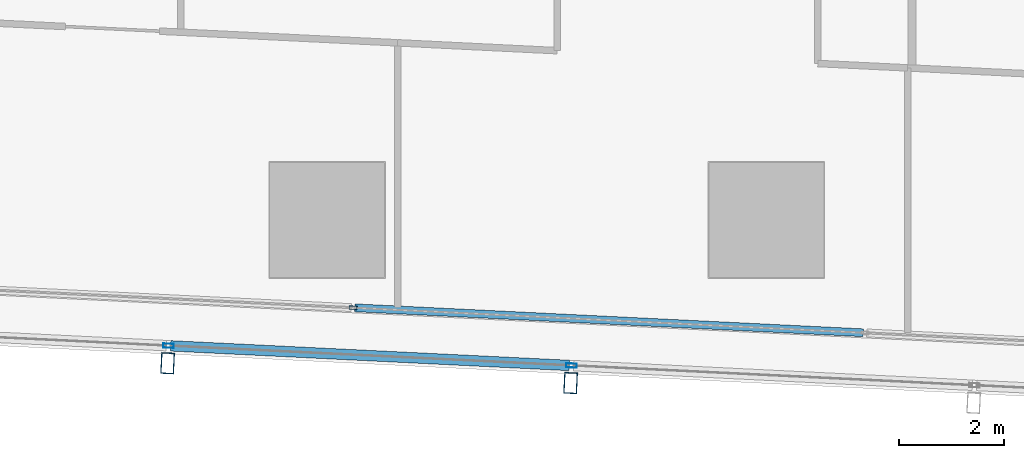
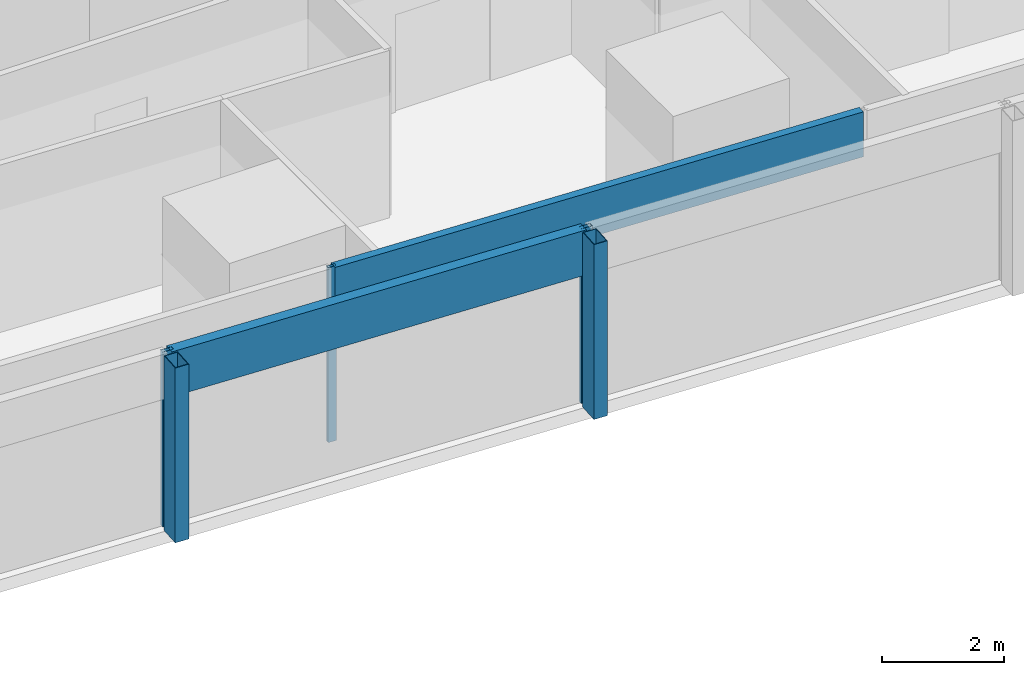
# One storey, part 5 of 44: 7 members, 2 elements without a shape of their own.
"""IFC4 building model written with IfcOpenShell, lengths in metres."""

from ifc_helpers import new_model, si_unit, direction, frame, origin, origin_2d, place, context, subcontext, project, spatial, hollow_rectangle, extrude, material, material_profile, profile_set, type_object, element, aggregate, save


model = new_model("IFC4")

# Units and contexts
model_context = context("Model", 3, precision=1e-05, world=origin(), true_north=direction((0.0, 1.0)))
body_context = subcontext(model_context, "Body", "Model", "MODEL_VIEW")
ifc_project = project(units=[si_unit("LENGTHUNIT", "METRE"), si_unit("AREAUNIT", "SQUARE_METRE"), si_unit("VOLUMEUNIT", "CUBIC_METRE"), si_unit("PLANEANGLEUNIT", "RADIAN"), si_unit("MASSUNIT", "GRAM", prefix="KILO")], contexts=[model_context])

# Site, building, storey
site_placement = place(None, origin())
site = spatial("IfcSite", under=ifc_project, at=site_placement, CompositionType="ELEMENT")
building_placement = place(site_placement, origin())
building = spatial("IfcBuilding", under=site, at=building_placement, Name="Rekha Terrace Tower", CompositionType="ELEMENT")
storey_placement = place(building_placement, frame((0.0, 0.0, 62.89990234375)))
storey = spatial("IfcBuildingStorey", under=building, at=storey_placement, Name="L15", CompositionType="ELEMENT", Elevation=62.89990234375)

# Curtain wall, members
ifc_material_1 = material(Name="Aluminium framing", Category="aluminium")
curtain_wall_type_1 = type_object("IfcCurtainWallType", Name="CW2 double skin outer glazing", PredefinedType="USERDEFINED", material=ifc_material_1)
curtain_wall_1_placement = place(storey_placement, origin())
curtain_wall_1 = element("IfcCurtainWall", 1, at=curtain_wall_1_placement, inside=storey, type_object=curtain_wall_type_1, Name="CW2 double skin outer glazing", ObjectType="DOUBLE SKIN OUTER GLAZING", PredefinedType="USERDEFINED")
ifc_material_2 = material(Name="Steel S355 with fluorocarbon finish", Category="steel")
ifc_material_profile_1 = material_profile(ifc_material_2, hollow_rectangle(XDim=0.25, YDim=0.39990234375, WallThickness=0.012451171875, at=origin_2d()), Name="RHS400x250x12.5")
ifc_profile_set_1 = profile_set([ifc_material_profile_1], Name="Steel S355 with fluorocarbon finish")
member_type_1 = type_object("IfcMemberType", Name="BL1 facade blade RHS 400 x 250", PredefinedType="USERDEFINED", material=ifc_profile_set_1)
member_1_placement = place(storey_placement, frame((22.14990234375, 5.6611328125, 0.0), z_axis=(0.0, 0.0, 1.0), x_axis=(0.998796226835, -0.049051985279, 0.0)))
member_1 = element("IfcMember", 2, at=member_1_placement, type_object=member_type_1, Name="Facade blade", ObjectType="FACADE BLADE", PredefinedType="USERDEFINED", context=body_context, shape_type="SweptSolid", body=[
    extrude(hollow_rectangle(XDim=0.25, YDim=0.39990234375, WallThickness=0.012451171875, at=origin_2d()), origin(), (0.0, 0.0, 1.0), 3.5),
])
member_2_placement = place(storey_placement, frame((29.856201171875, 5.28271484375, 0.0), z_axis=(0.0, 0.0, 1.0), x_axis=(0.998796226835, -0.049051985279, 0.0)))
member_2 = element("IfcMember", 3, at=member_2_placement, type_object=member_type_1, Name="Facade blade", ObjectType="FACADE BLADE", PredefinedType="USERDEFINED", context=body_context, shape_type="SweptSolid", body=[
    extrude(hollow_rectangle(XDim=0.25, YDim=0.39990234375, WallThickness=0.012451171875, at=origin_2d()), origin(), (0.0, 0.0, 1.0), 3.5),
])

curtain_wall_type_2 = type_object("IfcCurtainWallType", Name="CW1 double skin inner glazing", PredefinedType="USERDEFINED", material=ifc_material_1)
curtain_wall_2_placement = place(storey_placement, origin())
curtain_wall_2 = element("IfcCurtainWall", 4, at=curtain_wall_2_placement, inside=storey, type_object=curtain_wall_type_2, Name="CW1 double skin inner glazing", ObjectType="DOUBLE SKIN INNER GLAZING", PredefinedType="USERDEFINED")
ifc_material_3 = material(Name="Aluminium mullion section", Category="aluminium")
ifc_material_profile_2 = material_profile(ifc_material_3, hollow_rectangle(XDim=0.06494140625, YDim=0.14990234375, WallThickness=0.00390625, at=origin_2d()), Name="AL RHS 65x150")
ifc_profile_set_2 = profile_set([ifc_material_profile_2], Name="Aluminium mullion section")
member_type_2 = type_object("IfcMemberType", Name="CW1 mullion RHS 65 x 150", PredefinedType="MULLION", material=ifc_profile_set_2)
member_3_placement = place(storey_placement, frame((25.696044921875, 6.723388671875, 0.0), z_axis=(0.0, 0.0, 1.0), x_axis=(0.049051717746, 0.998796239974, 0.0)))
member_3 = element("IfcMember", 5, at=member_3_placement, type_object=member_type_2, Name="CW1 mullion 2", PredefinedType="MULLION", context=body_context, shape_type="SweptSolid", body=[
    extrude(hollow_rectangle(XDim=0.06494140625, YDim=0.14990234375, WallThickness=0.00390625, at=origin_2d()), origin(), (0.0, 0.0, 1.0), 3.5),
])
ifc_material_4 = material(Name="Insulated aluminium spandrel box", Category="aluminium")
ifc_material_profile_3 = material_profile(ifc_material_4, hollow_rectangle(XDim=0.14990234375, YDim=0.89990234375, WallThickness=0.0029296875, at=origin_2d()), Name="AL SPANDREL BOX 150x900")
ifc_profile_set_3 = profile_set([ifc_material_profile_3], Name="Insulated aluminium spandrel box")
member_type_3 = type_object("IfcMemberType", Name="CW1 spandrel transom 150 x 900", PredefinedType="USERDEFINED", material=ifc_profile_set_3)
member_4_placement = place(storey_placement, frame((25.728515625, 6.721923828125, 3.050048828125), z_axis=(0.998796042167, -0.049055745348, 0.0), x_axis=(0.049055745348, 0.998796042167, 0.0)))
member_4 = element("IfcMember", 6, at=member_4_placement, type_object=member_type_3, Name="CW1 spandrel transom 2", ObjectType="TRANSOM", PredefinedType="USERDEFINED", context=body_context, shape_type="SweptSolid", body=[
    extrude(hollow_rectangle(XDim=0.14990234375, YDim=0.89990234375, WallThickness=0.0029296875, at=origin_2d()), origin(), (0.0, 0.0, 1.0), 9.734619140625),
])
aggregate(curtain_wall_2, [member_3, member_4])

# Member
ifc_material_profile_4 = material_profile(ifc_material_3, hollow_rectangle(XDim=0.080078125, YDim=0.199951171875, WallThickness=0.00390625, at=origin_2d()), Name="AL RHS 80x200")
ifc_profile_set_4 = profile_set([ifc_material_profile_4], Name="Aluminium mullion section")
member_type_4 = type_object("IfcMemberType", Name="CW2 mullion RHS 80 x 200", PredefinedType="MULLION", material=ifc_profile_set_4)
member_5_placement = place(storey_placement, frame((22.166259765625, 5.99560546875, 0.0), z_axis=(0.0, 0.0, 1.0), x_axis=(0.049051717746, 0.998796239974, 0.0)))
member_5 = element("IfcMember", 7, at=member_5_placement, type_object=member_type_4, Name="CW2 mullion 3", PredefinedType="MULLION", context=body_context, shape_type="SweptSolid", body=[
    extrude(hollow_rectangle(XDim=0.080078125, YDim=0.199951171875, WallThickness=0.00390625, at=origin_2d()), origin(), (0.0, 0.0, 1.0), 3.5),
])

member_6_placement = place(storey_placement, frame((29.872802734375, 5.6171875, 0.0), z_axis=(0.0, 0.0, 1.0), x_axis=(0.049051717746, 0.998796239974, 0.0)))
member_6 = element("IfcMember", 8, at=member_6_placement, type_object=member_type_4, Name="CW2 mullion 4", PredefinedType="MULLION", context=body_context, shape_type="SweptSolid", body=[
    extrude(hollow_rectangle(XDim=0.080078125, YDim=0.199951171875, WallThickness=0.00390625, at=origin_2d()), origin(), (0.0, 0.0, 1.0), 3.5),
])

ifc_material_profile_5 = material_profile(ifc_material_4, hollow_rectangle(XDim=0.199951171875, YDim=0.89990234375, WallThickness=0.0029296875, at=origin_2d()), Name="AL SPANDREL BOX 200x900")
ifc_profile_set_5 = profile_set([ifc_material_profile_5], Name="Insulated aluminium spandrel box")
member_type_5 = type_object("IfcMemberType", Name="CW2 spandrel transom 200 x 900", PredefinedType="USERDEFINED", material=ifc_profile_set_5)
member_7_placement = place(storey_placement, frame((22.206298828125, 5.99365234375, 3.050048828125), z_axis=(0.998796434643, -0.049047753721, 0.0), x_axis=(0.049047753721, 0.998796434643, 0.0)))
member_7 = element("IfcMember", 9, at=member_7_placement, type_object=member_type_5, Name="CW2 spandrel transom 3", ObjectType="TRANSOM", PredefinedType="USERDEFINED", context=body_context, shape_type="SweptSolid", body=[
    extrude(hollow_rectangle(XDim=0.199951171875, YDim=0.89990234375, WallThickness=0.0029296875, at=origin_2d()), origin(), (0.0, 0.0, 1.0), 7.6357421875),
])

aggregate(curtain_wall_1, [member_5, member_6, member_7, member_1, member_2])

save(model, "model.ifc")
